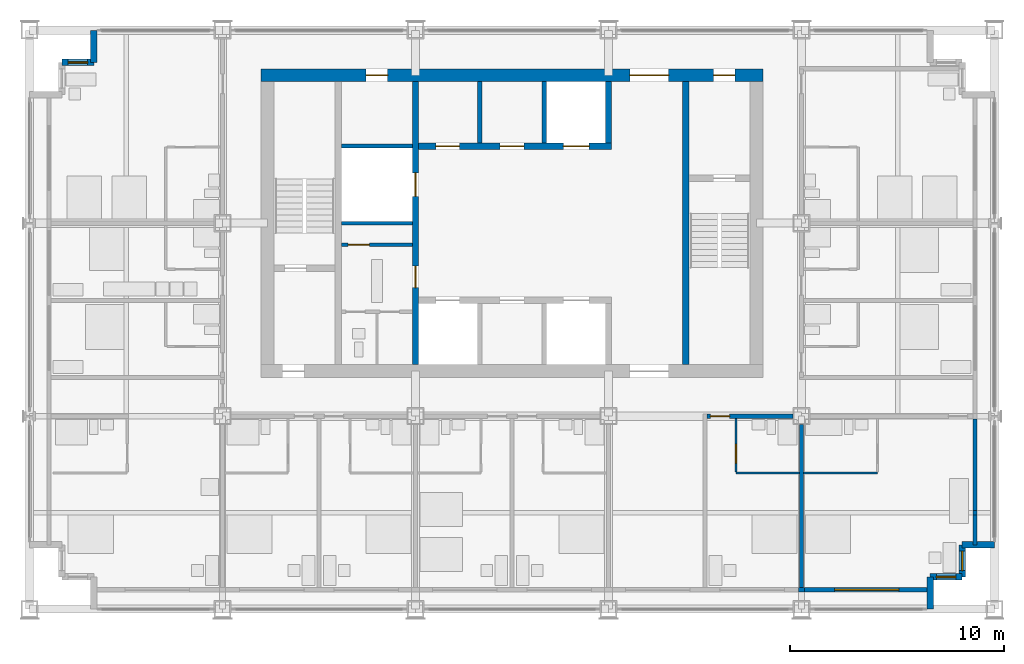
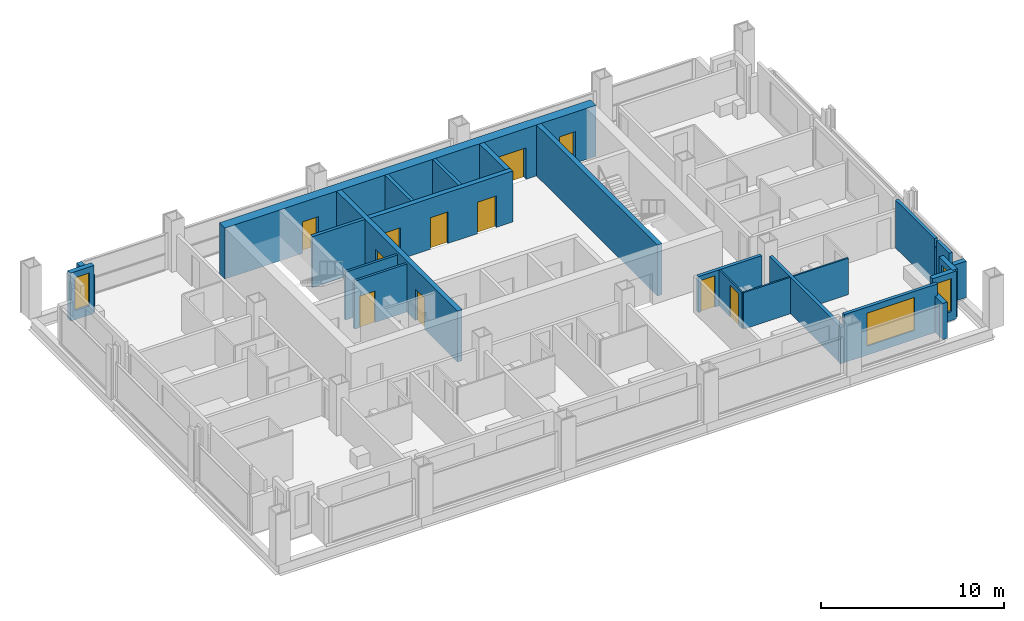
# One storey, part 9 of 14: 26 walls, 11 doors, 4 windows, 15 openings.
"""IFC4 building model written with IfcOpenShell, lengths in metres."""

from ifc_helpers import new_model, si_unit, direction, frame, frame_2d, origin, place, context, subcontext, project, spatial, rectangle, extrude, material, layer, layer_set, type_object, element, fill, save


model = new_model("IFC4")

# Units and contexts
model_context = context("Model", 3, precision=1e-05, world=origin(), true_north=direction((0.0, 1.0)))
body_context = subcontext(model_context, "Body", "Model", "MODEL_VIEW")
ifc_project = project(units=[si_unit("LENGTHUNIT", "METRE"), si_unit("AREAUNIT", "SQUARE_METRE"), si_unit("VOLUMEUNIT", "CUBIC_METRE"), si_unit("PLANEANGLEUNIT", "RADIAN"), si_unit("MASSUNIT", "GRAM", prefix="KILO")], contexts=[model_context])

# Site, building, storey
site_placement = place(None, origin())
site = spatial("IfcSite", under=ifc_project, at=site_placement, CompositionType="ELEMENT")
building_placement = place(site_placement, origin())
building = spatial("IfcBuilding", under=site, at=building_placement, Name="Loomwork Tower", CompositionType="ELEMENT")
storey_placement = place(building_placement, frame((0.0, 0.0, 170.60009765625)))
storey = spatial("IfcBuildingStorey", under=building, at=storey_placement, Name="L46", CompositionType="ELEMENT", Elevation=170.60009765625)

# Wall, openings, doors
ifc_material_1 = material(Name="Concrete 14000 psi (97 MPa)", Category="concrete")
ifc_layer_1 = layer(ifc_material_1, 0.300048828125)
ifc_layer_set_1 = layer_set([ifc_layer_1], Name="Core shear wall 300")
wall_type_1 = type_object("IfcWallType", Name="Core shear wall 300", PredefinedType="SHEAR", material=ifc_layer_set_1)
wall_1_placement = place(storey_placement, frame((18.0, 11.39990234375, 0.0), z_axis=(0.0, 0.0, 1.0), x_axis=(0.0, 1.0, 0.0)))
wall_1 = element("IfcWall", 1, at=wall_1_placement, inside=storey, type_object=wall_type_1, Name="Lobby west wall L46", PredefinedType="SHEAR", context=body_context, shape_type="SweptSolid", body=[
    extrude(rectangle(XDim=13.2001953125, YDim=0.300048828125, at=frame_2d((6.60009765625, 0.0))), origin(), (0.0, 0.0, 1.0), 3.39990234375),
])
opening_1_placement = place(wall_1_placement, frame((3.60009765625, 0.0, 0.0)))
opening_1 = element("IfcOpeningElement", 2, at=opening_1_placement, cuts=wall_1, Name="Opening D5", PredefinedType="OPENING", context=body_context, shape_type="SweptSolid", body=[
    extrude(rectangle(XDim=1.0, YDim=2.10009765625, at=frame_2d((0.5, 1.050048828125))), frame((0.0, 0.159912109375, 0.0), z_axis=(0.0, -1.0, 0.0), x_axis=(1.0, 0.0, 0.0)), (0.0, 0.0, 1.0), 0.320068359375),
])
opening_2_placement = place(wall_1_placement, frame((7.85009765625, 0.0, 0.0)))
opening_2 = element("IfcOpeningElement", 3, at=opening_2_placement, cuts=wall_1, Name="Opening LD1", PredefinedType="OPENING", context=body_context, shape_type="SweptSolid", body=[
    extrude(rectangle(XDim=1.10009765625, YDim=2.10009765625, at=frame_2d((0.550048828125, 1.050048828125))), frame((0.0, 0.159912109375, 0.0), z_axis=(0.0, -1.0, 0.0), x_axis=(1.0, 0.0, 0.0)), (0.0, 0.0, 1.0), 0.320068359375),
])
ifc_material_2 = material(Name="Hollow metal door and frame")
door_type_1 = type_object("IfcDoorType", Name="Lift landing door 1100", OperationType="SLIDING_TO_LEFT", PredefinedType="DOOR", material=ifc_material_2)
door_1_placement = place(opening_2_placement, origin())
door_1 = element("IfcDoor", 4, at=door_1_placement, inside=storey, type_object=door_type_1, Name="Lift landing door LC2", OperationType="SLIDING_TO_LEFT", OverallHeight=2.10009765625, OverallWidth=1.10009765625, PredefinedType="DOOR", context=body_context, shape_type="SweptSolid", body=[
    extrude(rectangle(XDim=1.10009765625, YDim=2.10009765625, at=frame_2d((0.550048828125, 1.050048828125))), frame((0.0, 0.02490234375, 0.0), z_axis=(0.0, -1.0, 0.0), x_axis=(1.0, 0.0, 0.0)), (0.0, 0.0, 1.0), 0.050048828125),
])
fill(opening_2, door_1)
ifc_material_3 = material(Name="Hollow metal door and frame")
door_type_2 = type_object("IfcDoorType", Name="Service door 1000", OperationType="SINGLE_SWING_LEFT", PredefinedType="DOOR", material=ifc_material_3)
door_2_placement = place(opening_1_placement, origin())
door_2 = element("IfcDoor", 5, at=door_2_placement, inside=storey, type_object=door_type_2, Name="Back-of-house door south", OperationType="SINGLE_SWING_LEFT", OverallHeight=2.10009765625, OverallWidth=1.0, PredefinedType="DOOR", context=body_context, shape_type="SweptSolid", body=[
    extrude(rectangle(XDim=1.0, YDim=2.10009765625, at=frame_2d((0.5, 1.050048828125))), frame((0.0, 0.02490234375, 0.0), z_axis=(0.0, -1.0, 0.0), x_axis=(1.0, 0.0, 0.0)), (0.0, 0.0, 1.0), 0.050048828125),
])
fill(opening_1, door_2)

wall_2_placement = place(storey_placement, frame((18.14990234375, 21.60009765625, 0.0), z_axis=(0.0, 0.0, 1.0), x_axis=(1.0, 0.0, 0.0)))
wall_2 = element("IfcWall", 6, at=wall_2_placement, inside=storey, type_object=wall_type_1, Name="Lift front wall north L46", PredefinedType="SHEAR", context=body_context, shape_type="SweptSolid", body=[
    extrude(rectangle(XDim=9.0, YDim=0.300048828125, at=frame_2d((4.5, 0.0))), origin(), (0.0, 0.0, 1.0), 3.39990234375),
])
opening_3_placement = place(wall_2_placement, frame((6.75, 0.0, 0.0)))
opening_3 = element("IfcOpeningElement", 7, at=opening_3_placement, cuts=wall_2, Name="Opening LD2", PredefinedType="OPENING", context=body_context, shape_type="SweptSolid", body=[
    extrude(rectangle(XDim=1.199951171875, YDim=2.10009765625, at=frame_2d((0.60009765625, 1.050048828125))), frame((0.0, 0.159912109375, 0.0), z_axis=(0.0, -1.0, 0.0), x_axis=(1.0, 0.0, 0.0)), (0.0, 0.0, 1.0), 0.320068359375),
])
opening_4_placement = place(wall_2_placement, frame((0.800048828125, 0.0, 0.0)))
opening_4 = element("IfcOpeningElement", 8, at=opening_4_placement, cuts=wall_2, Name="Opening D17", PredefinedType="OPENING", context=body_context, shape_type="SweptSolid", body=[
    extrude(rectangle(XDim=1.10009765625, YDim=2.10009765625, at=frame_2d((0.550048828125, 1.050048828125))), frame((0.0, 0.159912109375, 0.0), z_axis=(0.0, -1.0, 0.0), x_axis=(1.0, 0.0, 0.0)), (0.0, 0.0, 1.0), 0.320068359375),
])
opening_5_placement = place(wall_2_placement, frame((3.800048828125, 0.0, 0.0)))
opening_5 = element("IfcOpeningElement", 9, at=opening_5_placement, cuts=wall_2, Name="Opening D17", PredefinedType="OPENING", context=body_context, shape_type="SweptSolid", body=[
    extrude(rectangle(XDim=1.10009765625, YDim=2.10009765625, at=frame_2d((0.550048828125, 1.050048828125))), frame((0.0, 0.159912109375, 0.0), z_axis=(0.0, -1.0, 0.0), x_axis=(1.0, 0.0, 0.0)), (0.0, 0.0, 1.0), 0.320068359375),
])
ifc_material_4 = material(Name="Hollow metal door and frame")
door_type_3 = type_object("IfcDoorType", Name="Lift landing door 1200", OperationType="SLIDING_TO_LEFT", PredefinedType="DOOR", material=ifc_material_4)
door_3_placement = place(opening_3_placement, origin())
door_3 = element("IfcDoor", 10, at=door_3_placement, inside=storey, type_object=door_type_3, Name="Lift landing door LF2", OperationType="SLIDING_TO_LEFT", OverallHeight=2.10009765625, OverallWidth=1.199951171875, PredefinedType="DOOR", context=body_context, shape_type="SweptSolid", body=[
    extrude(rectangle(XDim=1.199951171875, YDim=2.10009765625, at=frame_2d((0.60009765625, 1.050048828125))), frame((0.0, 0.02490234375, 0.0), z_axis=(0.0, -1.0, 0.0), x_axis=(1.0, 0.0, 0.0)), (0.0, 0.0, 1.0), 0.050048828125),
])
fill(opening_3, door_3)
ifc_material_5 = material(Name="Hollow metal door and frame")
door_type_4 = type_object("IfcDoorType", Name="Service room door 1100", OperationType="SINGLE_SWING_LEFT", PredefinedType="DOOR", material=ifc_material_5)
door_4_placement = place(opening_4_placement, origin())
door_4 = element("IfcDoor", 11, at=door_4_placement, inside=storey, type_object=door_type_4, Name="Guest pantry, ice and vending door L46", OperationType="SINGLE_SWING_LEFT", OverallHeight=2.10009765625, OverallWidth=1.10009765625, PredefinedType="DOOR", context=body_context, shape_type="SweptSolid", body=[
    extrude(rectangle(XDim=1.10009765625, YDim=2.10009765625, at=frame_2d((0.550048828125, 1.050048828125))), frame((0.0, 0.02490234375, 0.0), z_axis=(0.0, -1.0, 0.0), x_axis=(1.0, 0.0, 0.0)), (0.0, 0.0, 1.0), 0.050048828125),
])
fill(opening_4, door_4)
door_5_placement = place(opening_5_placement, origin())
door_5 = element("IfcDoor", 12, at=door_5_placement, inside=storey, type_object=door_type_4, Name="Storage room door L46", OperationType="SINGLE_SWING_LEFT", OverallHeight=2.10009765625, OverallWidth=1.10009765625, PredefinedType="DOOR", context=body_context, shape_type="SweptSolid", body=[
    extrude(rectangle(XDim=1.10009765625, YDim=2.10009765625, at=frame_2d((0.550048828125, 1.050048828125))), frame((0.0, 0.02490234375, 0.0), z_axis=(0.0, -1.0, 0.0), x_axis=(1.0, 0.0, 0.0)), (0.0, 0.0, 1.0), 0.050048828125),
])
fill(opening_5, door_5)

# Walls
wall_3_placement = place(storey_placement, frame((27.0, 21.75, 0.0), z_axis=(0.0, 0.0, 1.0), x_axis=(0.0, 1.0, 0.0)))
element("IfcWall", 13, at=wall_3_placement, inside=storey, type_object=wall_type_1, Name="Lift shaft end wall north L46", PredefinedType="SHEAR", context=body_context, shape_type="SweptSolid", body=[
    extrude(rectangle(XDim=2.85009765625, YDim=0.300048828125, at=frame_2d((1.425048828125, 0.0))), origin(), (0.0, 0.0, 1.0), 3.39990234375),
])
wall_4_placement = place(storey_placement, frame((30.60009765625, 11.39990234375, 0.0), z_axis=(0.0, 0.0, 1.0), x_axis=(0.0, 1.0, 0.0)))
element("IfcWall", 14, at=wall_4_placement, inside=storey, type_object=wall_type_1, Name="Stair B west wall L46", PredefinedType="SHEAR", context=body_context, shape_type="SweptSolid", body=[
    extrude(rectangle(XDim=13.2001953125, YDim=0.300048828125, at=frame_2d((6.60009765625, 0.0))), origin(), (0.0, 0.0, 1.0), 3.39990234375),
])

# Wall, openings, doors
ifc_material_6 = material(Name="Concrete 14000 psi (97 MPa)", Category="concrete")
ifc_layer_2 = layer(ifc_material_6, 0.60009765625)
ifc_layer_set_2 = layer_set([ifc_layer_2], Name="Core shear wall 600")
wall_type_2 = type_object("IfcWallType", Name="Core shear wall 600", PredefinedType="SHEAR", material=ifc_layer_set_2)
wall_5_placement = place(storey_placement, frame((10.800048828125, 24.89990234375, 0.0), z_axis=(0.0, 0.0, 1.0), x_axis=(1.0, 0.0, 0.0)))
wall_5 = element("IfcWall", 15, at=wall_5_placement, inside=storey, type_object=wall_type_2, Name="Core wall north L46", PredefinedType="SHEAR", context=body_context, shape_type="SweptSolid", body=[
    extrude(rectangle(XDim=23.39990234375, YDim=0.60009765625, at=frame_2d((11.699951171875, 0.0))), origin(), (0.0, 0.0, 1.0), 3.39990234375),
])
opening_6_placement = place(wall_5_placement, frame((17.199951171875, 0.0, 0.0)))
opening_6 = element("IfcOpeningElement", 16, at=opening_6_placement, cuts=wall_5, Name="Opening D6", PredefinedType="OPENING", context=body_context, shape_type="SweptSolid", body=[
    extrude(rectangle(XDim=1.800048828125, YDim=2.10009765625, at=frame_2d((0.89990234375, 1.050048828125))), frame((0.0, 0.31005859375, 0.0), z_axis=(0.0, -1.0, 0.0), x_axis=(1.0, 0.0, 0.0)), (0.0, 0.0, 1.0), 0.6201171875),
])
opening_7_placement = place(wall_5_placement, frame((21.10009765625, 0.0, 0.0)))
opening_7 = element("IfcOpeningElement", 17, at=opening_7_placement, cuts=wall_5, Name="Opening D4", PredefinedType="OPENING", context=body_context, shape_type="SweptSolid", body=[
    extrude(rectangle(XDim=1.0, YDim=2.10009765625, at=frame_2d((0.5, 1.050048828125))), frame((0.0, 0.31005859375, 0.0), z_axis=(0.0, -1.0, 0.0), x_axis=(1.0, 0.0, 0.0)), (0.0, 0.0, 1.0), 0.6201171875),
])
opening_8_placement = place(wall_5_placement, frame((4.89990234375, 0.0, 0.0)))
opening_8 = element("IfcOpeningElement", 18, at=opening_8_placement, cuts=wall_5, Name="Opening D5", PredefinedType="OPENING", context=body_context, shape_type="SweptSolid", body=[
    extrude(rectangle(XDim=1.0, YDim=2.10009765625, at=frame_2d((0.5, 1.050048828125))), frame((0.0, 0.31005859375, 0.0), z_axis=(0.0, -1.0, 0.0), x_axis=(1.0, 0.0, 0.0)), (0.0, 0.0, 1.0), 0.6201171875),
])
ifc_material_7 = material(Name="Hollow metal door and frame")
door_type_5 = type_object("IfcDoorType", Name="Lobby passage double door 1800", OperationType="DOUBLE_DOOR_SINGLE_SWING", PredefinedType="DOOR", material=ifc_material_7)
door_6_placement = place(opening_6_placement, frame((1.800048828125, 0.0, 0.0), z_axis=(0.0, 0.0, 1.0), x_axis=(-1.0, 0.0, 0.0)))
door_6 = element("IfcDoor", 19, at=door_6_placement, inside=storey, type_object=door_type_5, Name="Lobby passage door north", OperationType="DOUBLE_DOOR_SINGLE_SWING", OverallHeight=2.10009765625, OverallWidth=1.800048828125, PredefinedType="DOOR", context=body_context, shape_type="SweptSolid", body=[
    extrude(rectangle(XDim=1.800048828125, YDim=2.10009765625, at=frame_2d((0.89990234375, 1.050048828125))), frame((0.0, 0.02490234375, 0.0), z_axis=(0.0, -1.0, 0.0), x_axis=(1.0, 0.0, 0.0)), (0.0, 0.0, 1.0), 0.050048828125),
])
fill(opening_6, door_6)
door_7_placement = place(opening_8_placement, frame((1.0, 0.0, 0.0), z_axis=(0.0, 0.0, 1.0), x_axis=(-1.0, 0.0, 0.0)))
door_7 = element("IfcDoor", 20, at=door_7_placement, inside=storey, type_object=door_type_2, Name="Back-of-house door north", OperationType="SINGLE_SWING_LEFT", OverallHeight=2.10009765625, OverallWidth=1.0, PredefinedType="DOOR", context=body_context, shape_type="SweptSolid", body=[
    extrude(rectangle(XDim=1.0, YDim=2.10009765625, at=frame_2d((0.5, 1.050048828125))), frame((0.0, 0.02490234375, 0.0), z_axis=(0.0, -1.0, 0.0), x_axis=(1.0, 0.0, 0.0)), (0.0, 0.0, 1.0), 0.050048828125),
])
fill(opening_8, door_7)
ifc_material_8 = material(Name="Hollow metal door and frame")
door_type_6 = type_object("IfcDoorType", Name="Stair door 1000", OperationType="SINGLE_SWING_RIGHT", PredefinedType="DOOR", material=ifc_material_8)
door_8_placement = place(opening_7_placement, frame((1.0, 0.0, 0.0), z_axis=(0.0, 0.0, 1.0), x_axis=(-1.0, 0.0, 0.0)))
door_8 = element("IfcDoor", 21, at=door_8_placement, inside=storey, type_object=door_type_6, Name="Stair B vestibule door", OperationType="SINGLE_SWING_LEFT", OverallHeight=2.10009765625, OverallWidth=1.0, PredefinedType="DOOR", context=body_context, shape_type="SweptSolid", body=[
    extrude(rectangle(XDim=1.0, YDim=2.10009765625, at=frame_2d((0.5, 1.050048828125))), frame((0.0, 0.02490234375, 0.0), z_axis=(0.0, -1.0, 0.0), x_axis=(1.0, 0.0, 0.0)), (0.0, 0.0, 1.0), 0.050048828125),
])
fill(opening_7, door_8)

# Wall, opening, door
ifc_material_9 = material(Name="Gypsum board on steel studs, one-hour", Category="steel")
ifc_layer_3 = layer(ifc_material_9, 0.199951171875)
ifc_layer_set_3 = layer_set([ifc_layer_3], Name="Corridor wall 200")
wall_type_3 = type_object("IfcWallType", Name="Corridor wall 200", PredefinedType="PARTITIONING", material=ifc_layer_set_3)
wall_6_placement = place(storey_placement, frame((31.60009765625, 9.0, 0.0), z_axis=(0.0, 0.0, 1.0), x_axis=(1.0, 0.0, 0.0)))
wall_6 = element("IfcWall", 22, at=wall_6_placement, inside=storey, type_object=wall_type_3, Name="South corridor wall 4", PredefinedType="PARTITIONING", context=body_context, shape_type="SweptSolid", body=[
    extrude(rectangle(XDim=4.0, YDim=0.199951171875, at=frame_2d((2.0, 0.0))), origin(), (0.0, 0.0, 1.0), 2.40478515625),
])
opening_9_placement = place(wall_6_placement, frame((0.14990234375, 0.0, 0.0)))
opening_9 = element("IfcOpeningElement", 23, at=opening_9_placement, cuts=wall_6, Name="Opening D1", PredefinedType="OPENING", context=body_context, shape_type="SweptSolid", body=[
    extrude(rectangle(XDim=0.89990234375, YDim=2.10009765625, at=frame_2d((0.449951171875, 1.050048828125))), frame((0.0, 0.10986328125, 0.0), z_axis=(0.0, -1.0, 0.0), x_axis=(1.0, 0.0, 0.0)), (0.0, 0.0, 1.0), 0.219970703125),
])
ifc_material_10 = material(Name="Hollow metal door and frame")
door_type_7 = type_object("IfcDoorType", Name="Guest room entry door 900", OperationType="SINGLE_SWING_LEFT", PredefinedType="DOOR", material=ifc_material_10)
door_9_placement = place(opening_9_placement, frame((0.89990234375, 0.0, 0.0), z_axis=(0.0, 0.0, 1.0), x_axis=(-1.0, 0.0, 0.0)))
door_9 = element("IfcDoor", 24, at=door_9_placement, inside=storey, type_object=door_type_7, Name="Guest room entry door L46 6", OperationType="SINGLE_SWING_RIGHT", OverallHeight=2.10009765625, OverallWidth=0.89990234375, PredefinedType="DOOR", context=body_context, shape_type="SweptSolid", body=[
    extrude(rectangle(XDim=0.89990234375, YDim=2.10009765625, at=frame_2d((0.449951171875, 1.050048828125))), frame((0.0, 0.02490234375, 0.0), z_axis=(0.0, -1.0, 0.0), x_axis=(1.0, 0.0, 0.0)), (0.0, 0.0, 1.0), 0.050048828125),
])
fill(opening_9, door_9)

# Wall
ifc_material_11 = material(Name="Cement board on steel studs", Category="steel")
ifc_layer_4 = layer(ifc_material_11, 0.10009765625)
ifc_layer_set_4 = layer_set([ifc_layer_4], Name="En-suite partition 100")
wall_type_4 = type_object("IfcWallType", Name="En-suite partition 100", PredefinedType="PARTITIONING", material=ifc_layer_set_4)
wall_7_placement = place(storey_placement, frame((32.949951171875, 6.35009765625, 0.0), z_axis=(0.0, 0.0, 1.0), x_axis=(1.0, 0.0, 0.0)))
element("IfcWall", 25, at=wall_7_placement, inside=storey, type_object=wall_type_4, Name="En-suite wall L46 room 6", PredefinedType="PARTITIONING", context=body_context, shape_type="SweptSolid", body=[
    extrude(rectangle(XDim=2.949951171875, YDim=0.10009765625, at=frame_2d((1.47509765625, 0.0))), origin(), (0.0, 0.0, 1.0), 2.43798828125),
])

# Wall, opening, door
wall_8_placement = place(storey_placement, frame((32.949951171875, 8.89990234375, 0.0), z_axis=(0.0, 0.0, 1.0), x_axis=(0.0, -1.0, 0.0)))
wall_8 = element("IfcWall", 26, at=wall_8_placement, inside=storey, type_object=wall_type_4, Name="En-suite side wall L46 room 6", PredefinedType="PARTITIONING", context=body_context, shape_type="SweptSolid", body=[
    extrude(rectangle(XDim=2.5, YDim=0.10009765625, at=frame_2d((1.25, 0.0))), origin(), (0.0, 0.0, 1.0), 2.40380859375),
])
opening_10_placement = place(wall_8_placement, frame((1.199951171875, 0.0, 0.0)))
opening_10 = element("IfcOpeningElement", 27, at=opening_10_placement, cuts=wall_8, Name="Opening D2", PredefinedType="OPENING", context=body_context, shape_type="SweptSolid", body=[
    extrude(rectangle(XDim=0.89990234375, YDim=2.10009765625, at=frame_2d((0.449951171875, 1.050048828125))), frame((0.0, 0.06005859375, 0.0), z_axis=(0.0, -1.0, 0.0), x_axis=(1.0, 0.0, 0.0)), (0.0, 0.0, 1.0), 0.1201171875),
])
ifc_material_12 = material(Name="Hollow metal door and frame")
door_type_8 = type_object("IfcDoorType", Name="En-suite door 900", OperationType="SINGLE_SWING_LEFT", PredefinedType="DOOR", material=ifc_material_12)
door_10_placement = place(opening_10_placement, origin())
door_10 = element("IfcDoor", 28, at=door_10_placement, inside=storey, type_object=door_type_8, Name="En-suite door room 6", OperationType="SINGLE_SWING_RIGHT", OverallHeight=2.10009765625, OverallWidth=0.89990234375, PredefinedType="DOOR", context=body_context, shape_type="SweptSolid", body=[
    extrude(rectangle(XDim=0.89990234375, YDim=2.10009765625, at=frame_2d((0.449951171875, 1.050048828125))), frame((0.0, 0.02490234375, 0.0), z_axis=(0.0, -1.0, 0.0), x_axis=(1.0, 0.0, 0.0)), (0.0, 0.0, 1.0), 0.050048828125),
])
fill(opening_10, door_10)

# Walls
wall_9_placement = place(storey_placement, frame((36.10009765625, 6.35009765625, 0.0), z_axis=(0.0, 0.0, 1.0), x_axis=(1.0, 0.0, 0.0)))
element("IfcWall", 29, at=wall_9_placement, inside=storey, type_object=wall_type_4, Name="En-suite wall L46 room 7", PredefinedType="PARTITIONING", context=body_context, shape_type="SweptSolid", body=[
    extrude(rectangle(XDim=3.449951171875, YDim=0.10009765625, at=frame_2d((1.72509765625, 0.0))), origin(), (0.0, 0.0, 1.0), 2.43798828125),
])
ifc_material_13 = material(Name="Gypsum board on steel studs, acoustic", Category="steel")
ifc_layer_5 = layer(ifc_material_13, 0.199951171875)
ifc_layer_set_5 = layer_set([ifc_layer_5], Name="Guest room party wall 200")
wall_type_5 = type_object("IfcWallType", Name="Guest room party wall 200", PredefinedType="PARTITIONING", material=ifc_layer_set_5)
wall_10_placement = place(storey_placement, frame((36.0, 8.60009765625, 0.0), z_axis=(0.0, 0.0, 1.0), x_axis=(0.0, -1.0, 0.0)))
element("IfcWall", 30, at=wall_10_placement, inside=storey, type_object=wall_type_5, Name="Guest room party wall S 36", PredefinedType="PARTITIONING", context=body_context, shape_type="SweptSolid", body=[
    extrude(rectangle(XDim=7.60009765625, YDim=0.199951171875, at=frame_2d((3.800048828125, 0.0))), origin(), (0.0, 0.0, 1.0), 2.43798828125),
])
ifc_material_14 = material(Name="Insulated steel stud wall with gypsum lining", Category="steel")
ifc_layer_6 = layer(ifc_material_14, 0.199951171875)
ifc_layer_set_6 = layer_set([ifc_layer_6], Name="Inner skin wall 200")
wall_type_6 = type_object("IfcWallType", Name="Inner skin wall 200", PredefinedType="SOLIDWALL", material=ifc_layer_set_6)
wall_11_placement = place(storey_placement, frame((44.10009765625, 3.0, 0.0), z_axis=(0.0, 0.0, 1.0), x_axis=(0.0, 1.0, 0.0)))
element("IfcWall", 31, at=wall_11_placement, inside=storey, type_object=wall_type_6, Name="Inner skin wall E", PredefinedType="SOLIDWALL", context=body_context, shape_type="SweptSolid", body=[
    extrude(rectangle(XDim=1.392578125, YDim=0.199951171875, at=frame_2d((0.6962890625, 0.0))), origin(), (0.0, 0.0, 1.0), 3.199951171875),
])
wall_12_placement = place(storey_placement, frame((35.864501953125, 0.89990234375, 0.0), z_axis=(0.0, 0.0, 1.0), x_axis=(1.0, 0.0, 0.0)))
element("IfcWall", 32, at=wall_12_placement, inside=storey, type_object=wall_type_6, Name="Inner skin wall S bay 8", PredefinedType="SOLIDWALL", context=body_context, shape_type="SweptSolid", body=[
    extrude(rectangle(XDim=0.27099609375, YDim=0.199951171875, at=frame_2d((0.135498046875, 0.0))), origin(), (0.0, 0.0, 1.0), 2.43798828125),
])

# Wall, opening, window
wall_13_placement = place(storey_placement, frame((36.135498046875, 0.89990234375, 0.0), z_axis=(0.0, 0.0, 1.0), x_axis=(1.0, 0.0, 0.0)))
wall_13 = element("IfcWall", 33, at=wall_13_placement, inside=storey, type_object=wall_type_6, Name="Inner skin wall S bay 9", PredefinedType="SOLIDWALL", context=body_context, shape_type="SweptSolid", body=[
    extrude(rectangle(XDim=5.864501953125, YDim=0.199951171875, at=frame_2d((2.93212890625, 0.0))), origin(), (0.0, 0.0, 1.0), 3.199951171875),
])
opening_11_placement = place(wall_13_placement, frame((1.41455078125, 0.0, 0.60009765625)))
opening_11 = element("IfcOpeningElement", 34, at=opening_11_placement, cuts=wall_13, Name="Opening CH1", PredefinedType="OPENING", context=body_context, shape_type="SweptSolid", body=[
    extrude(rectangle(XDim=3.0, YDim=2.199951171875, at=frame_2d((1.5, 1.10009765625))), frame((0.0, 0.10986328125, 0.0), z_axis=(0.0, -1.0, 0.0), x_axis=(1.0, 0.0, 0.0)), (0.0, 0.0, 1.0), 0.219970703125),
])
ifc_material_15 = material(Name="Aluminium frame with clear insulated glass", Category="aluminium")
window_type_1 = type_object("IfcWindowType", Name="Chicago window 3000", PartitioningType="TRIPLE_PANEL_VERTICAL", PredefinedType="WINDOW", material=ifc_material_15)
window_1_placement = place(opening_11_placement, origin())
window_1 = element("IfcWindow", 35, at=window_1_placement, inside=storey, type_object=window_type_1, Name="Chicago window L46 bay 5", OverallHeight=2.199951171875, OverallWidth=3.0, PartitioningType="TRIPLE_PANEL_VERTICAL", PredefinedType="WINDOW", context=body_context, shape_type="SweptSolid", body=[
    extrude(rectangle(XDim=3.0, YDim=2.199951171875, at=frame_2d((1.5, 1.10009765625))), frame((0.0, 0.030029296875, 0.0), z_axis=(0.0, -1.0, 0.0), x_axis=(1.0, 0.0, 0.0)), (0.0, 0.0, 1.0), 0.06005859375),
])
fill(opening_11, window_1)

# Walls
wall_14_placement = place(storey_placement, frame((44.10009765625, 4.392578125, 0.0), z_axis=(0.0, 0.0, 1.0), x_axis=(0.0, 1.0, 0.0)))
element("IfcWall", 36, at=wall_14_placement, inside=storey, type_object=wall_type_6, Name="Inner skin wall E bay 2", PredefinedType="SOLIDWALL", context=body_context, shape_type="SweptSolid", body=[
    extrude(rectangle(XDim=0.21484375, YDim=0.199951171875, at=frame_2d((0.107421875, 0.0))), origin(), (0.0, 0.0, 1.0), 2.660888671875),
])
wall_15_placement = place(storey_placement, frame((44.10009765625, 4.607421875, 0.0), z_axis=(0.0, 0.0, 1.0), x_axis=(0.0, 1.0, 0.0)))
element("IfcWall", 37, at=wall_15_placement, inside=storey, type_object=wall_type_6, Name="Inner skin wall E bay 3", PredefinedType="SOLIDWALL", context=body_context, shape_type="SweptSolid", body=[
    extrude(rectangle(XDim=4.25732421875, YDim=0.199951171875, at=frame_2d((2.128662109375, 0.0))), origin(), (0.0, 0.0, 1.0), 3.199951171875),
])
ifc_material_16 = material(Name="Concrete 14000 psi (97 MPa)", Category="concrete")
ifc_layer_7 = layer(ifc_material_16, 0.199951171875)
ifc_layer_set_7 = layer_set([ifc_layer_7], Name="Lift shaft wall 200")
wall_type_7 = type_object("IfcWallType", Name="Lift shaft wall 200", PredefinedType="SHEAR", material=ifc_layer_set_7)
for number, where, z_axis, x_axis, name in (
    (38, (21.0, 21.75, 0.0), (0.0, 0.0, 1.0), (0.0, 1.0, 0.0), "Lift shaft separation wall north 1 L46"),
    (39, (24.0, 21.75, 0.0), (0.0, 0.0, 1.0), (0.0, 1.0, 0.0), "Lift shaft separation wall north 2 L46"),
):
    element("IfcWall", number, at=place(storey_placement, frame(where, z_axis=z_axis, x_axis=x_axis)), inside=storey, type_object=wall_type_7, Name=name, PredefinedType="SHEAR", context=body_context, shape_type="SweptSolid", body=[
        extrude(rectangle(XDim=2.85009765625, YDim=0.199951171875, at=frame_2d((1.425048828125, 0.0))), origin(), (0.0, 0.0, 1.0), 3.39990234375),
    ])
wall_16_placement = place(storey_placement, frame((14.550048828125, 21.60009765625, 0.0), z_axis=(0.0, 0.0, 1.0), x_axis=(1.0, 0.0, 0.0)))
element("IfcWall", 40, at=wall_16_placement, inside=storey, type_object=wall_type_7, Name="Lift shaft wall west north L46", PredefinedType="SHEAR", context=body_context, shape_type="SweptSolid", body=[
    extrude(rectangle(XDim=3.300048828125, YDim=0.199951171875, at=frame_2d((1.64990234375, 0.0))), origin(), (0.0, 0.0, 1.0), 3.39990234375),
])
ifc_material_17 = material(Name="Limestone on concrete masonry", Category="masonry")
ifc_layer_8 = layer(ifc_material_17, 0.300048828125)
ifc_layer_set_8 = layer_set([ifc_layer_8], Name="Limestone corner wall 300")
wall_type_8 = type_object("IfcWallType", Name="Limestone corner wall 300", PredefinedType="SOLIDWALL", material=ifc_layer_set_8)
wall_17_placement = place(storey_placement, frame((42.0, 0.0, 0.0), z_axis=(0.0, 0.0, 1.0), x_axis=(0.0, 1.0, 0.0)))
element("IfcWall", 41, at=wall_17_placement, inside=storey, type_object=wall_type_8, Name="Stone corner wall SE 1", PredefinedType="SOLIDWALL", context=body_context, shape_type="SweptSolid", body=[
    extrude(rectangle(XDim=1.5, YDim=0.300048828125, at=frame_2d((0.75, 0.0))), origin(), (0.0, 0.0, 1.0), 2.419921875),
])

# Wall, opening, window
wall_18_placement = place(storey_placement, frame((42.0, 1.5, 0.0), z_axis=(0.0, 0.0, 1.0), x_axis=(1.0, 0.0, 0.0)))
wall_18 = element("IfcWall", 42, at=wall_18_placement, inside=storey, type_object=wall_type_8, Name="Stone corner wall SE 2", PredefinedType="SOLIDWALL", context=body_context, shape_type="SweptSolid", body=[
    extrude(rectangle(XDim=1.5, YDim=0.300048828125, at=frame_2d((0.75, 0.0))), origin(), (0.0, 0.0, 1.0), 3.199951171875),
])
opening_12_placement = place(wall_18_placement, frame((0.300048828125, 0.0, 0.60009765625)))
opening_12 = element("IfcOpeningElement", 43, at=opening_12_placement, cuts=wall_18, Name="Opening CH2", PredefinedType="OPENING", context=body_context, shape_type="SweptSolid", body=[
    extrude(rectangle(XDim=0.89990234375, YDim=2.199951171875, at=frame_2d((0.449951171875, 1.10009765625))), frame((0.0, 0.159912109375, 0.0), z_axis=(0.0, -1.0, 0.0), x_axis=(1.0, 0.0, 0.0)), (0.0, 0.0, 1.0), 0.320068359375),
])
ifc_material_18 = material(Name="Aluminium frame with clear insulated glass", Category="aluminium")
window_type_2 = type_object("IfcWindowType", Name="Corner window 900", PartitioningType="SINGLE_PANEL", PredefinedType="WINDOW", material=ifc_material_18)
window_2_placement = place(opening_12_placement, origin())
window_2 = element("IfcWindow", 44, at=window_2_placement, inside=storey, type_object=window_type_2, Name="Corner window SE", OverallHeight=2.199951171875, OverallWidth=0.89990234375, PartitioningType="SINGLE_PANEL", PredefinedType="WINDOW", context=body_context, shape_type="SweptSolid", body=[
    extrude(rectangle(XDim=0.89990234375, YDim=2.199951171875, at=frame_2d((0.449951171875, 1.10009765625))), frame((0.0, 0.030029296875, 0.0), z_axis=(0.0, -1.0, 0.0), x_axis=(1.0, 0.0, 0.0)), (0.0, 0.0, 1.0), 0.06005859375),
])
fill(opening_12, window_2)

wall_19_placement = place(storey_placement, frame((43.5, 1.5, 0.0), z_axis=(0.0, 0.0, 1.0), x_axis=(0.0, 1.0, 0.0)))
wall_19 = element("IfcWall", 45, at=wall_19_placement, inside=storey, type_object=wall_type_8, Name="Stone corner wall SE 3", PredefinedType="SOLIDWALL", context=body_context, shape_type="SweptSolid", body=[
    extrude(rectangle(XDim=1.5, YDim=0.300048828125, at=frame_2d((0.75, 0.0))), origin(), (0.0, 0.0, 1.0), 3.199951171875),
])
opening_13_placement = place(wall_19_placement, frame((0.300048828125, 0.0, 0.60009765625)))
opening_13 = element("IfcOpeningElement", 46, at=opening_13_placement, cuts=wall_19, Name="Opening CH2", PredefinedType="OPENING", context=body_context, shape_type="SweptSolid", body=[
    extrude(rectangle(XDim=0.89990234375, YDim=2.199951171875, at=frame_2d((0.449951171875, 1.10009765625))), frame((0.0, 0.159912109375, 0.0), z_axis=(0.0, -1.0, 0.0), x_axis=(1.0, 0.0, 0.0)), (0.0, 0.0, 1.0), 0.320068359375),
])
window_3_placement = place(opening_13_placement, origin())
window_3 = element("IfcWindow", 47, at=window_3_placement, inside=storey, type_object=window_type_2, Name="Corner window SE", OverallHeight=2.199951171875, OverallWidth=0.89990234375, PartitioningType="SINGLE_PANEL", PredefinedType="WINDOW", context=body_context, shape_type="SweptSolid", body=[
    extrude(rectangle(XDim=0.89990234375, YDim=2.199951171875, at=frame_2d((0.449951171875, 1.10009765625))), frame((0.0, 0.030029296875, 0.0), z_axis=(0.0, -1.0, 0.0), x_axis=(1.0, 0.0, 0.0)), (0.0, 0.0, 1.0), 0.06005859375),
])
fill(opening_13, window_3)

# Walls
for number, where, z_axis, x_axis, name in (
    (48, (43.5, 3.0, 0.0), (0.0, 0.0, 1.0), (1.0, 0.0, 0.0), "Stone corner wall SE 4"),
    (49, (3.0, 27.0, 0.0), (0.0, 0.0, 1.0), (0.0, -1.0, 0.0), "Stone corner wall NW 1"),
):
    element("IfcWall", number, at=place(storey_placement, frame(where, z_axis=z_axis, x_axis=x_axis)), inside=storey, type_object=wall_type_8, Name=name, PredefinedType="SOLIDWALL", context=body_context, shape_type="SweptSolid", body=[
        extrude(rectangle(XDim=1.5, YDim=0.300048828125, at=frame_2d((0.75, 0.0))), origin(), (0.0, 0.0, 1.0), 2.419921875),
    ])

# Wall, opening, window
wall_20_placement = place(storey_placement, frame((3.0, 25.5, 0.0), z_axis=(0.0, 0.0, 1.0), x_axis=(-1.0, 0.0, 0.0)))
wall_20 = element("IfcWall", 50, at=wall_20_placement, inside=storey, type_object=wall_type_8, Name="Stone corner wall NW 2", PredefinedType="SOLIDWALL", context=body_context, shape_type="SweptSolid", body=[
    extrude(rectangle(XDim=1.5, YDim=0.300048828125, at=frame_2d((0.75, 0.0))), origin(), (0.0, 0.0, 1.0), 3.199951171875),
])
opening_14_placement = place(wall_20_placement, frame((0.300048828125, 0.0, 0.60009765625)))
opening_14 = element("IfcOpeningElement", 51, at=opening_14_placement, cuts=wall_20, Name="Opening CH2", PredefinedType="OPENING", context=body_context, shape_type="SweptSolid", body=[
    extrude(rectangle(XDim=0.89990234375, YDim=2.199951171875, at=frame_2d((0.449951171875, 1.10009765625))), frame((0.0, 0.159912109375, 0.0), z_axis=(0.0, -1.0, 0.0), x_axis=(1.0, 0.0, 0.0)), (0.0, 0.0, 1.0), 0.320068359375),
])
window_4_placement = place(opening_14_placement, origin())
window_4 = element("IfcWindow", 52, at=window_4_placement, inside=storey, type_object=window_type_2, Name="Corner window NW", OverallHeight=2.199951171875, OverallWidth=0.89990234375, PartitioningType="SINGLE_PANEL", PredefinedType="WINDOW", context=body_context, shape_type="SweptSolid", body=[
    extrude(rectangle(XDim=0.89990234375, YDim=2.199951171875, at=frame_2d((0.449951171875, 1.10009765625))), frame((0.0, 0.030029296875, 0.0), z_axis=(0.0, -1.0, 0.0), x_axis=(1.0, 0.0, 0.0)), (0.0, 0.0, 1.0), 0.06005859375),
])
fill(opening_14, window_4)

# Wall
ifc_material_19 = material(Name="Gypsum board on steel studs", Category="steel")
ifc_layer_9 = layer(ifc_material_19, 0.14990234375)
ifc_layer_set_9 = layer_set([ifc_layer_9], Name="Partition 150 two-hour")
wall_type_9 = type_object("IfcWallType", Name="Partition 150 two-hour", PredefinedType="PARTITIONING", material=ifc_layer_set_9)
wall_21_placement = place(storey_placement, frame((14.550048828125, 18.0, 0.0), z_axis=(0.0, 0.0, 1.0), x_axis=(1.0, 0.0, 0.0)))
element("IfcWall", 53, at=wall_21_placement, inside=storey, type_object=wall_type_9, Name="Back-of-house dividing wall L46", PredefinedType="PARTITIONING", context=body_context, shape_type="SweptSolid", body=[
    extrude(rectangle(XDim=3.300048828125, YDim=0.14990234375, at=frame_2d((1.64990234375, 0.0))), origin(), (0.0, 0.0, 1.0), 3.199951171875),
])

# Wall, opening, door
ifc_material_20 = material(Name="Gypsum board on steel studs, one-hour", Category="steel")
ifc_layer_10 = layer(ifc_material_20, 0.14990234375)
ifc_layer_set_10 = layer_set([ifc_layer_10], Name="Service partition 150")
wall_type_10 = type_object("IfcWallType", Name="Service partition 150", PredefinedType="PARTITIONING", material=ifc_layer_set_10)
wall_22_placement = place(storey_placement, frame((14.550048828125, 17.0, 0.0), z_axis=(0.0, 0.0, 1.0), x_axis=(1.0, 0.0, 0.0)))
wall_22 = element("IfcWall", 54, at=wall_22_placement, inside=storey, type_object=wall_type_10, Name="Riser enclosure L46", PredefinedType="PARTITIONING", context=body_context, shape_type="SweptSolid", body=[
    extrude(rectangle(XDim=3.300048828125, YDim=0.14990234375, at=frame_2d((1.64990234375, 0.0))), origin(), (0.0, 0.0, 1.0), 3.199951171875),
])
opening_15_placement = place(wall_22_placement, frame((0.300048828125, 0.0, 0.0)))
opening_15 = element("IfcOpeningElement", 55, at=opening_15_placement, cuts=wall_22, Name="Opening D18", PredefinedType="OPENING", context=body_context, shape_type="SweptSolid", body=[
    extrude(rectangle(XDim=1.0, YDim=2.10009765625, at=frame_2d((0.5, 1.050048828125))), frame((0.0, 0.0849609375, 0.0), z_axis=(0.0, -1.0, 0.0), x_axis=(1.0, 0.0, 0.0)), (0.0, 0.0, 1.0), 0.169921875),
])
ifc_material_21 = material(Name="Hollow metal door and frame")
door_type_9 = type_object("IfcDoorType", Name="Ninety-minute service door 1000", OperationType="SINGLE_SWING_LEFT", PredefinedType="DOOR", material=ifc_material_21)
door_11_placement = place(opening_15_placement, frame((1.0, 0.0, 0.0), z_axis=(0.0, 0.0, 1.0), x_axis=(-1.0, 0.0, 0.0)))
door_11 = element("IfcDoor", 56, at=door_11_placement, inside=storey, type_object=door_type_9, Name="Riser access door", OperationType="SINGLE_SWING_RIGHT", OverallHeight=2.10009765625, OverallWidth=1.0, PredefinedType="DOOR", context=body_context, shape_type="SweptSolid", body=[
    extrude(rectangle(XDim=1.0, YDim=2.10009765625, at=frame_2d((0.5, 1.050048828125))), frame((0.0, 0.02490234375, 0.0), z_axis=(0.0, -1.0, 0.0), x_axis=(1.0, 0.0, 0.0)), (0.0, 0.0, 1.0), 0.050048828125),
])
fill(opening_15, door_11)

save(model, "model.ifc")
